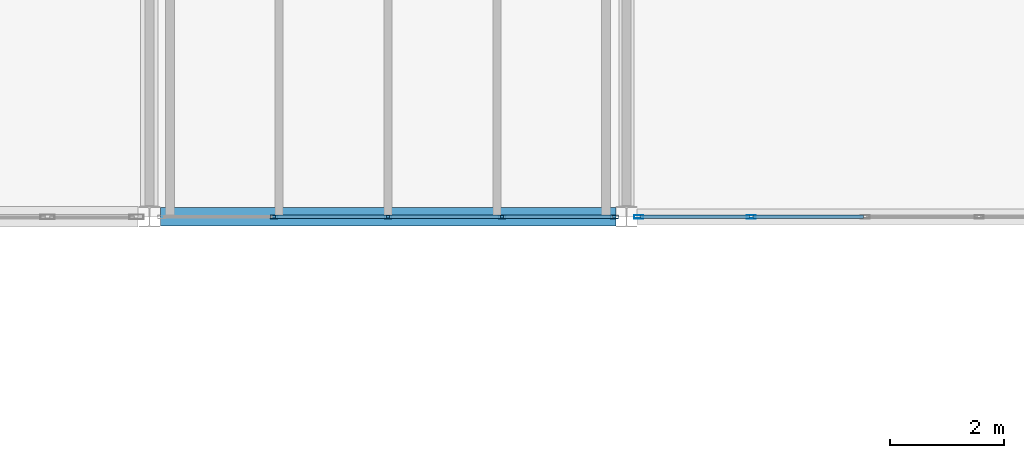
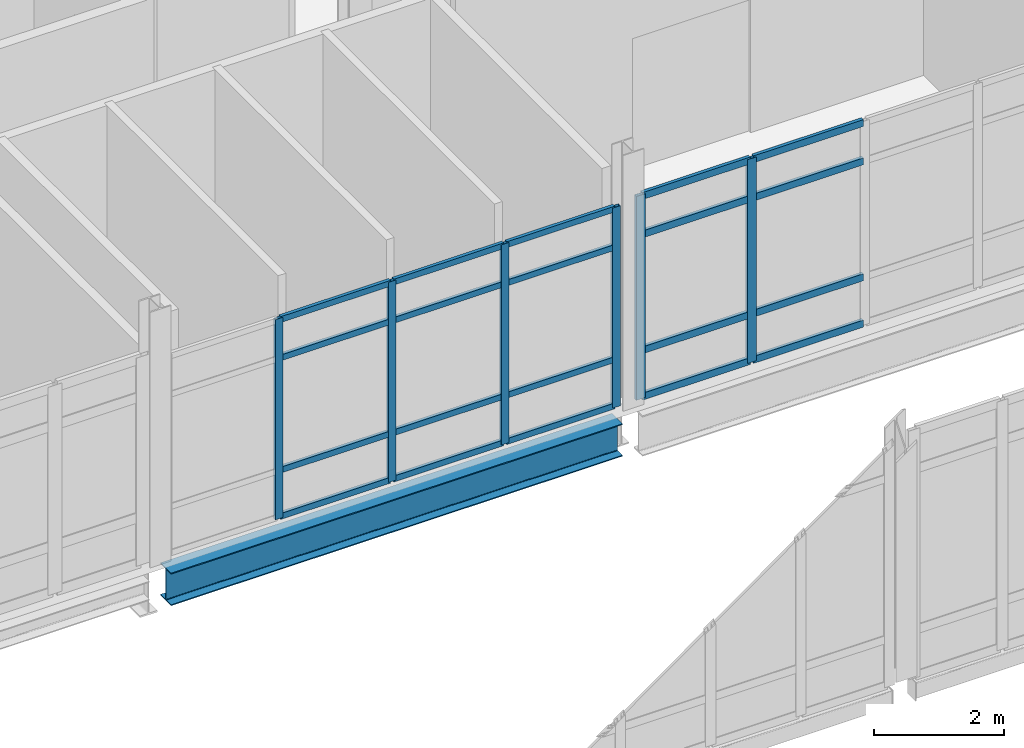
# One storey, part 23 of 186: 26 members, 1 beam, 2 elements without a shape of their own.
"""IFC4 building model written with IfcOpenShell, lengths in metres."""

from ifc_helpers import new_model, si_unit, direction, frame, origin, origin_2d, place, context, subcontext, project, spatial, hollow_rectangle, i_section, extrude, material, layer, layer_set, material_profile, profile_set, type_object, element, aggregate, save


model = new_model("IFC4")

# Units and contexts
model_context = context("Model", 3, precision=1e-05, world=origin(), true_north=direction((0.0, 1.0)))
body_context = subcontext(model_context, "Body", "Model", "MODEL_VIEW")
ifc_project = project(units=[si_unit("LENGTHUNIT", "METRE"), si_unit("AREAUNIT", "SQUARE_METRE"), si_unit("VOLUMEUNIT", "CUBIC_METRE"), si_unit("PLANEANGLEUNIT", "RADIAN"), si_unit("MASSUNIT", "GRAM", prefix="KILO")], contexts=[model_context])

# Site, building, storey
site_placement = place(None, origin())
site = spatial("IfcSite", under=ifc_project, at=site_placement, CompositionType="ELEMENT")
building_placement = place(site_placement, origin())
building = spatial("IfcBuilding", under=site, at=building_placement, Name="Calvrana Isthmian Art Gallery", CompositionType="ELEMENT")
storey_placement = place(building_placement, frame((0.0, 0.0, 5.39990234375)))
storey = spatial("IfcBuildingStorey", under=building, at=storey_placement, Name="L01", CompositionType="ELEMENT", Elevation=5.39990234375)

# Beam
ifc_material_1 = material(Name="Steel ASTM A992 Gr 50", Category="steel")
ifc_material_profile_1 = material_profile(ifc_material_1, i_section(OverallWidth=0.324951171875, OverallDepth=0.612060546875, WebThickness=0.0126953125, FlangeThickness=0.01904296875, FilletRadius=0.02197265625, at=origin_2d()), Name="W24X104")
ifc_profile_set_1 = profile_set([ifc_material_profile_1], Name="Steel ASTM A992 Gr 50")
beam_type = type_object("IfcBeamType", Name="BM-G-W24X104", PredefinedType="BEAM", material=ifc_profile_set_1)
beam_placement = place(storey_placement, frame((30.197021484375, 30.0, -0.55078125), z_axis=(1.0, 0.0, 0.0), x_axis=(0.0, 1.0, 0.0)))
element("IfcBeam", 1, at=beam_placement, inside=storey, type_object=beam_type, Name="Girder X L01 05-06/E", PredefinedType="BEAM", context=body_context, shape_type="SweptSolid", body=[
    extrude(i_section(OverallWidth=0.324951171875, OverallDepth=0.612060546875, WebThickness=0.0126953125, FlangeThickness=0.01904296875, FilletRadius=0.02197265625, at=origin_2d()), origin(), (0.0, 0.0, 1.0), 8.016357421875),
])

# Curtain wall, members
ifc_material_2 = material(Name="Anodized bronze aluminium 6063-T6", Category="aluminium")
ifc_layer = layer(ifc_material_2, 0.179931640625, Name="Anodized bronze aluminium 6063-T6")
ifc_layer_set = layer_set([ifc_layer], Name="Anodized bronze aluminium 6063-T6")
curtain_wall_type = type_object("IfcCurtainWallType", Name="CW-UNIT-080X38", PredefinedType="USERDEFINED", material=ifc_layer_set)
curtain_wall_1_placement = place(storey_placement, origin())
curtain_wall_1 = element("IfcCurtainWall", 2, at=curtain_wall_1_placement, inside=storey, type_object=curtain_wall_type, Name="Curtain wall CW-090", ObjectType="UNITISED CURTAIN WALL", PredefinedType="USERDEFINED")
ifc_material_profile_2 = material_profile(ifc_material_2, hollow_rectangle(XDim=0.06005859375, YDim=0.139892578125, WallThickness=0.00390625, at=origin_2d()), Name="CWM60X140")
ifc_profile_set_2 = profile_set([ifc_material_profile_2], Name="Anodized bronze aluminium 6063-T6")
member_type_1 = type_object("IfcMemberType", Name="CWM-CWM60X140", PredefinedType="MULLION", material=ifc_profile_set_2)
member_1_placement = place(storey_placement, frame((38.1845703125, 30.0, 0.0), z_axis=(0.0, 0.0, 1.0), x_axis=(0.0, -1.0, 0.0)))
member_1 = element("IfcMember", 3, at=member_1_placement, type_object=member_type_1, Name="CW-090 mullion 1", PredefinedType="MULLION", context=body_context, shape_type="SweptSolid", body=[
    extrude(hollow_rectangle(XDim=0.06005859375, YDim=0.139892578125, WallThickness=0.00390625, at=origin_2d()), origin(), (0.0, 0.0, 1.0), 3.758056640625),
])
member_2_placement = place(storey_placement, frame((36.20751953125, 30.0, 0.0), z_axis=(0.0, 0.0, 1.0), x_axis=(0.0, -1.0, 0.0)))
member_2 = element("IfcMember", 4, at=member_2_placement, type_object=member_type_1, Name="CW-090 mullion 2", PredefinedType="MULLION", context=body_context, shape_type="SweptSolid", body=[
    extrude(hollow_rectangle(XDim=0.06005859375, YDim=0.139892578125, WallThickness=0.00390625, at=origin_2d()), origin(), (0.0, 0.0, 1.0), 3.758056640625),
])
member_3_placement = place(storey_placement, frame((34.200439453125, 30.0, 0.0), z_axis=(0.0, 0.0, 1.0), x_axis=(0.0, -1.0, 0.0)))
member_3 = element("IfcMember", 5, at=member_3_placement, type_object=member_type_1, Name="CW-090 mullion 3", PredefinedType="MULLION", context=body_context, shape_type="SweptSolid", body=[
    extrude(hollow_rectangle(XDim=0.06005859375, YDim=0.139892578125, WallThickness=0.00390625, at=origin_2d()), origin(), (0.0, 0.0, 1.0), 3.758056640625),
])
member_4_placement = place(storey_placement, frame((32.193603515625, 30.0, 0.0), z_axis=(0.0, 0.0, 1.0), x_axis=(0.0, -1.0, 0.0)))
member_4 = element("IfcMember", 6, at=member_4_placement, type_object=member_type_1, Name="CW-090 mullion 4", PredefinedType="MULLION", context=body_context, shape_type="SweptSolid", body=[
    extrude(hollow_rectangle(XDim=0.06005859375, YDim=0.139892578125, WallThickness=0.00390625, at=origin_2d()), origin(), (0.0, 0.0, 1.0), 3.758056640625),
])

curtain_wall_2_placement = place(storey_placement, origin())
curtain_wall_2 = element("IfcCurtainWall", 7, at=curtain_wall_2_placement, inside=storey, type_object=curtain_wall_type, Name="Curtain wall CW-091", ObjectType="UNITISED CURTAIN WALL", PredefinedType="USERDEFINED")
ifc_material_profile_3 = material_profile(ifc_material_2, hollow_rectangle(XDim=0.06005859375, YDim=0.159912109375, WallThickness=0.00390625, at=origin_2d()), Name="CWM60X160")
ifc_profile_set_3 = profile_set([ifc_material_profile_3], Name="Anodized bronze aluminium 6063-T6")
member_type_2 = type_object("IfcMemberType", Name="CWM-CWM60X160", PredefinedType="MULLION", material=ifc_profile_set_3)
member_5_placement = place(storey_placement, frame((40.593017578125, 30.0, 0.0), z_axis=(0.0, 0.0, 1.0), x_axis=(0.0, -1.0, 0.0)))
member_5 = element("IfcMember", 8, at=member_5_placement, type_object=member_type_2, Name="CW-091 mullion 4", PredefinedType="MULLION", context=body_context, shape_type="SweptSolid", body=[
    extrude(hollow_rectangle(XDim=0.06005859375, YDim=0.159912109375, WallThickness=0.00390625, at=origin_2d()), origin(), (0.0, 0.0, 1.0), 3.8271484375),
])
member_6_placement = place(storey_placement, frame((38.615478515625, 30.0, 0.0), z_axis=(0.0, 0.0, 1.0), x_axis=(0.0, -1.0, 0.0)))
member_6 = element("IfcMember", 9, at=member_6_placement, type_object=member_type_2, Name="CW-091 mullion 5", PredefinedType="MULLION", context=body_context, shape_type="SweptSolid", body=[
    extrude(hollow_rectangle(XDim=0.06005859375, YDim=0.159912109375, WallThickness=0.00390625, at=origin_2d()), origin(), (0.0, 0.0, 1.0), 3.8271484375),
])

# Member
ifc_material_profile_4 = material_profile(ifc_material_2, hollow_rectangle(XDim=0.06005859375, YDim=0.110107421875, WallThickness=0.00341796875, at=origin_2d()), Name="CWT60X110")
ifc_profile_set_4 = profile_set([ifc_material_profile_4], Name="Anodized bronze aluminium 6063-T6")
member_type_3 = type_object("IfcMemberType", Name="CWT-CWT60X110", PredefinedType="USERDEFINED", material=ifc_profile_set_4)
member_7_placement = place(storey_placement, frame((38.154541015625, 30.0, 0.030029296875), z_axis=(-1.0, 0.0, 0.0), x_axis=(0.0, -1.0, 0.0)))
member_7 = element("IfcMember", 10, at=member_7_placement, type_object=member_type_3, Name="CW-090 transom 1.1", ObjectType="TRANSOM", PredefinedType="USERDEFINED", context=body_context, shape_type="SweptSolid", body=[
    extrude(hollow_rectangle(XDim=0.06005859375, YDim=0.110107421875, WallThickness=0.00341796875, at=origin_2d()), origin(), (0.0, 0.0, 1.0), 1.9169921875),
])

member_8_placement = place(storey_placement, frame((38.154541015625, 30.0, 0.900146484375), z_axis=(-1.0, 0.0, 0.0), x_axis=(0.0, -1.0, 0.0)))
member_8 = element("IfcMember", 11, at=member_8_placement, type_object=member_type_3, Name="CW-090 transom 1.2", ObjectType="TRANSOM", PredefinedType="USERDEFINED", context=body_context, shape_type="SweptSolid", body=[
    extrude(hollow_rectangle(XDim=0.06005859375, YDim=0.110107421875, WallThickness=0.00341796875, at=origin_2d()), origin(), (0.0, 0.0, 1.0), 1.9169921875),
])

member_9_placement = place(storey_placement, frame((38.154541015625, 30.0, 3.008056640625), z_axis=(-1.0, 0.0, 0.0), x_axis=(0.0, -1.0, 0.0)))
member_9 = element("IfcMember", 12, at=member_9_placement, type_object=member_type_3, Name="CW-090 transom 1.3", ObjectType="TRANSOM", PredefinedType="USERDEFINED", context=body_context, shape_type="SweptSolid", body=[
    extrude(hollow_rectangle(XDim=0.06005859375, YDim=0.110107421875, WallThickness=0.00341796875, at=origin_2d()), origin(), (0.0, 0.0, 1.0), 1.9169921875),
])

member_10_placement = place(storey_placement, frame((38.154541015625, 30.0, 3.72802734375), z_axis=(-1.0, 0.0, 0.0), x_axis=(0.0, -1.0, 0.0)))
member_10 = element("IfcMember", 13, at=member_10_placement, type_object=member_type_3, Name="CW-090 transom 1.4", ObjectType="TRANSOM", PredefinedType="USERDEFINED", context=body_context, shape_type="SweptSolid", body=[
    extrude(hollow_rectangle(XDim=0.06005859375, YDim=0.110107421875, WallThickness=0.00341796875, at=origin_2d()), origin(), (0.0, 0.0, 1.0), 1.9169921875),
])

member_11_placement = place(storey_placement, frame((36.177490234375, 30.0, 0.030029296875), z_axis=(-1.0, 0.0, 0.0), x_axis=(0.0, -1.0, 0.0)))
member_11 = element("IfcMember", 14, at=member_11_placement, type_object=member_type_3, Name="CW-090 transom 2.1", ObjectType="TRANSOM", PredefinedType="USERDEFINED", context=body_context, shape_type="SweptSolid", body=[
    extrude(hollow_rectangle(XDim=0.06005859375, YDim=0.110107421875, WallThickness=0.00341796875, at=origin_2d()), origin(), (0.0, 0.0, 1.0), 1.947021484375),
])

member_12_placement = place(storey_placement, frame((36.177490234375, 30.0, 0.900146484375), z_axis=(-1.0, 0.0, 0.0), x_axis=(0.0, -1.0, 0.0)))
member_12 = element("IfcMember", 15, at=member_12_placement, type_object=member_type_3, Name="CW-090 transom 2.2", ObjectType="TRANSOM", PredefinedType="USERDEFINED", context=body_context, shape_type="SweptSolid", body=[
    extrude(hollow_rectangle(XDim=0.06005859375, YDim=0.110107421875, WallThickness=0.00341796875, at=origin_2d()), origin(), (0.0, 0.0, 1.0), 1.947021484375),
])

member_13_placement = place(storey_placement, frame((36.177490234375, 30.0, 3.008056640625), z_axis=(-1.0, 0.0, 0.0), x_axis=(0.0, -1.0, 0.0)))
member_13 = element("IfcMember", 16, at=member_13_placement, type_object=member_type_3, Name="CW-090 transom 2.3", ObjectType="TRANSOM", PredefinedType="USERDEFINED", context=body_context, shape_type="SweptSolid", body=[
    extrude(hollow_rectangle(XDim=0.06005859375, YDim=0.110107421875, WallThickness=0.00341796875, at=origin_2d()), origin(), (0.0, 0.0, 1.0), 1.947021484375),
])

member_14_placement = place(storey_placement, frame((36.177490234375, 30.0, 3.72802734375), z_axis=(-1.0, 0.0, 0.0), x_axis=(0.0, -1.0, 0.0)))
member_14 = element("IfcMember", 17, at=member_14_placement, type_object=member_type_3, Name="CW-090 transom 2.4", ObjectType="TRANSOM", PredefinedType="USERDEFINED", context=body_context, shape_type="SweptSolid", body=[
    extrude(hollow_rectangle(XDim=0.06005859375, YDim=0.110107421875, WallThickness=0.00341796875, at=origin_2d()), origin(), (0.0, 0.0, 1.0), 1.947021484375),
])

member_15_placement = place(storey_placement, frame((34.17041015625, 30.0, 0.030029296875), z_axis=(-1.0, 0.0, 0.0), x_axis=(0.0, -1.0, 0.0)))
member_15 = element("IfcMember", 18, at=member_15_placement, type_object=member_type_3, Name="CW-090 transom 3.1", ObjectType="TRANSOM", PredefinedType="USERDEFINED", context=body_context, shape_type="SweptSolid", body=[
    extrude(hollow_rectangle(XDim=0.06005859375, YDim=0.110107421875, WallThickness=0.00341796875, at=origin_2d()), origin(), (0.0, 0.0, 1.0), 1.947021484375),
])

member_16_placement = place(storey_placement, frame((34.17041015625, 30.0, 0.900146484375), z_axis=(-1.0, 0.0, 0.0), x_axis=(0.0, -1.0, 0.0)))
member_16 = element("IfcMember", 19, at=member_16_placement, type_object=member_type_3, Name="CW-090 transom 3.2", ObjectType="TRANSOM", PredefinedType="USERDEFINED", context=body_context, shape_type="SweptSolid", body=[
    extrude(hollow_rectangle(XDim=0.06005859375, YDim=0.110107421875, WallThickness=0.00341796875, at=origin_2d()), origin(), (0.0, 0.0, 1.0), 1.947021484375),
])

member_17_placement = place(storey_placement, frame((34.17041015625, 30.0, 3.008056640625), z_axis=(-1.0, 0.0, 0.0), x_axis=(0.0, -1.0, 0.0)))
member_17 = element("IfcMember", 20, at=member_17_placement, type_object=member_type_3, Name="CW-090 transom 3.3", ObjectType="TRANSOM", PredefinedType="USERDEFINED", context=body_context, shape_type="SweptSolid", body=[
    extrude(hollow_rectangle(XDim=0.06005859375, YDim=0.110107421875, WallThickness=0.00341796875, at=origin_2d()), origin(), (0.0, 0.0, 1.0), 1.947021484375),
])

member_18_placement = place(storey_placement, frame((34.17041015625, 30.0, 3.72802734375), z_axis=(-1.0, 0.0, 0.0), x_axis=(0.0, -1.0, 0.0)))
member_18 = element("IfcMember", 21, at=member_18_placement, type_object=member_type_3, Name="CW-090 transom 3.4", ObjectType="TRANSOM", PredefinedType="USERDEFINED", context=body_context, shape_type="SweptSolid", body=[
    extrude(hollow_rectangle(XDim=0.06005859375, YDim=0.110107421875, WallThickness=0.00341796875, at=origin_2d()), origin(), (0.0, 0.0, 1.0), 1.947021484375),
])

aggregate(curtain_wall_1, [member_1, member_2, member_3, member_4, member_7, member_8, member_9, member_10, member_11, member_12, member_13, member_14, member_15, member_16, member_17, member_18])

ifc_material_profile_5 = material_profile(ifc_material_2, hollow_rectangle(XDim=0.06005859375, YDim=0.1298828125, WallThickness=0.00390625, at=origin_2d()), Name="CWT60X130")
ifc_profile_set_5 = profile_set([ifc_material_profile_5], Name="Anodized bronze aluminium 6063-T6")
member_type_4 = type_object("IfcMemberType", Name="CWT-CWT60X130", PredefinedType="USERDEFINED", material=ifc_profile_set_5)
member_19_placement = place(storey_placement, frame((42.57080078125, 30.0, 0.030029296875), z_axis=(-1.0, 0.0, 0.0), x_axis=(0.0, -1.0, 0.0)))
member_19 = element("IfcMember", 22, at=member_19_placement, type_object=member_type_4, Name="CW-091 transom 3.1", ObjectType="TRANSOM", PredefinedType="USERDEFINED", context=body_context, shape_type="SweptSolid", body=[
    extrude(hollow_rectangle(XDim=0.06005859375, YDim=0.1298828125, WallThickness=0.00390625, at=origin_2d()), origin(), (0.0, 0.0, 1.0), 1.94775390625),
])

member_20_placement = place(storey_placement, frame((42.57080078125, 30.0, 0.900146484375), z_axis=(-1.0, 0.0, 0.0), x_axis=(0.0, -1.0, 0.0)))
member_20 = element("IfcMember", 23, at=member_20_placement, type_object=member_type_4, Name="CW-091 transom 3.2", ObjectType="TRANSOM", PredefinedType="USERDEFINED", context=body_context, shape_type="SweptSolid", body=[
    extrude(hollow_rectangle(XDim=0.06005859375, YDim=0.1298828125, WallThickness=0.00390625, at=origin_2d()), origin(), (0.0, 0.0, 1.0), 1.94775390625),
])

member_21_placement = place(storey_placement, frame((42.57080078125, 30.0, 3.0771484375), z_axis=(-1.0, 0.0, 0.0), x_axis=(0.0, -1.0, 0.0)))
member_21 = element("IfcMember", 24, at=member_21_placement, type_object=member_type_4, Name="CW-091 transom 3.3", ObjectType="TRANSOM", PredefinedType="USERDEFINED", context=body_context, shape_type="SweptSolid", body=[
    extrude(hollow_rectangle(XDim=0.06005859375, YDim=0.1298828125, WallThickness=0.00390625, at=origin_2d()), origin(), (0.0, 0.0, 1.0), 1.94775390625),
])

member_22_placement = place(storey_placement, frame((42.57080078125, 30.0, 3.797119140625), z_axis=(-1.0, 0.0, 0.0), x_axis=(0.0, -1.0, 0.0)))
member_22 = element("IfcMember", 25, at=member_22_placement, type_object=member_type_4, Name="CW-091 transom 3.4", ObjectType="TRANSOM", PredefinedType="USERDEFINED", context=body_context, shape_type="SweptSolid", body=[
    extrude(hollow_rectangle(XDim=0.06005859375, YDim=0.1298828125, WallThickness=0.00390625, at=origin_2d()), origin(), (0.0, 0.0, 1.0), 1.94775390625),
])

member_23_placement = place(storey_placement, frame((40.563232421875, 30.0, 0.030029296875), z_axis=(-1.0, 0.0, 0.0), x_axis=(0.0, -1.0, 0.0)))
member_23 = element("IfcMember", 26, at=member_23_placement, type_object=member_type_4, Name="CW-091 transom 4.1", ObjectType="TRANSOM", PredefinedType="USERDEFINED", context=body_context, shape_type="SweptSolid", body=[
    extrude(hollow_rectangle(XDim=0.06005859375, YDim=0.1298828125, WallThickness=0.00390625, at=origin_2d()), origin(), (0.0, 0.0, 1.0), 1.917724609375),
])

member_24_placement = place(storey_placement, frame((40.563232421875, 30.0, 0.900146484375), z_axis=(-1.0, 0.0, 0.0), x_axis=(0.0, -1.0, 0.0)))
member_24 = element("IfcMember", 27, at=member_24_placement, type_object=member_type_4, Name="CW-091 transom 4.2", ObjectType="TRANSOM", PredefinedType="USERDEFINED", context=body_context, shape_type="SweptSolid", body=[
    extrude(hollow_rectangle(XDim=0.06005859375, YDim=0.1298828125, WallThickness=0.00390625, at=origin_2d()), origin(), (0.0, 0.0, 1.0), 1.917724609375),
])

member_25_placement = place(storey_placement, frame((40.563232421875, 30.0, 3.0771484375), z_axis=(-1.0, 0.0, 0.0), x_axis=(0.0, -1.0, 0.0)))
member_25 = element("IfcMember", 28, at=member_25_placement, type_object=member_type_4, Name="CW-091 transom 4.3", ObjectType="TRANSOM", PredefinedType="USERDEFINED", context=body_context, shape_type="SweptSolid", body=[
    extrude(hollow_rectangle(XDim=0.06005859375, YDim=0.1298828125, WallThickness=0.00390625, at=origin_2d()), origin(), (0.0, 0.0, 1.0), 1.917724609375),
])

member_26_placement = place(storey_placement, frame((40.563232421875, 30.0, 3.797119140625), z_axis=(-1.0, 0.0, 0.0), x_axis=(0.0, -1.0, 0.0)))
member_26 = element("IfcMember", 29, at=member_26_placement, type_object=member_type_4, Name="CW-091 transom 4.4", ObjectType="TRANSOM", PredefinedType="USERDEFINED", context=body_context, shape_type="SweptSolid", body=[
    extrude(hollow_rectangle(XDim=0.06005859375, YDim=0.1298828125, WallThickness=0.00390625, at=origin_2d()), origin(), (0.0, 0.0, 1.0), 1.917724609375),
])

aggregate(curtain_wall_2, [member_5, member_6, member_19, member_20, member_21, member_22, member_23, member_24, member_25, member_26])

save(model, "model.ifc")
